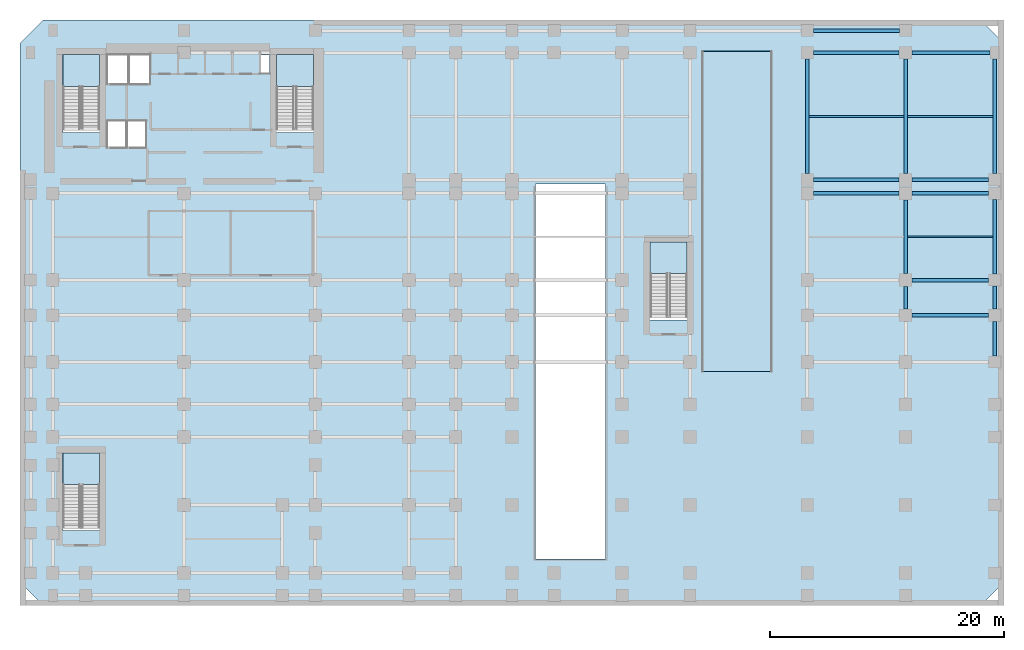
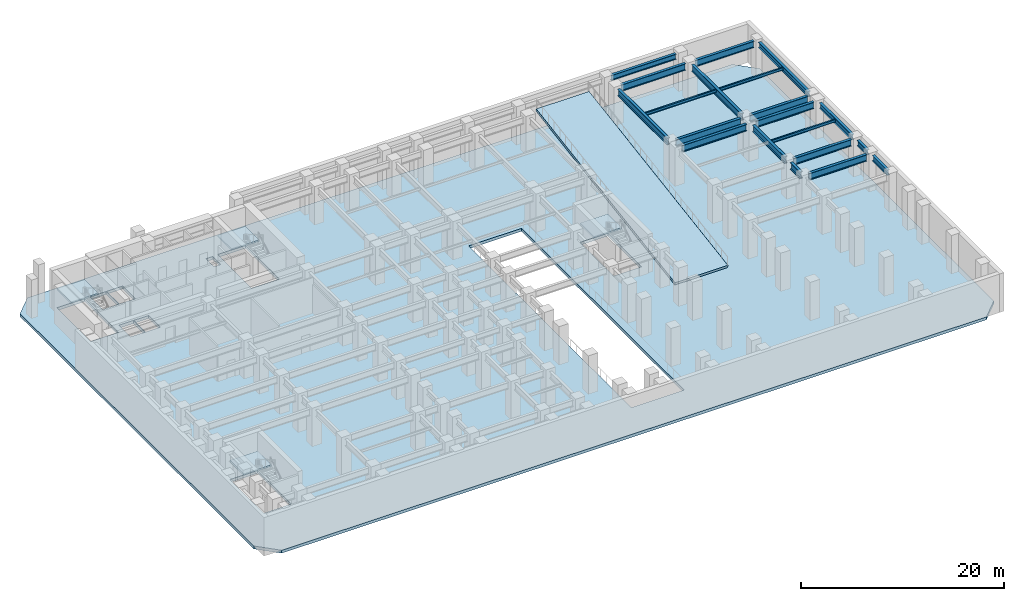
# One storey, part 4 of 12: 20 beams, 6 slabs, 4 elements without a shape of their own.
"""IFC4 building model written with IfcOpenShell, lengths in metres."""

import ifcopenshell
import ifcopenshell.guid

model = None  # the IFC model being written
_history = None  # IfcOwnerHistory: only IFC2X3 demands one
_inside = {}  # id of a spatial element -> (the spatial element, [elements in it])
_under = {}  # id of a project, library or spatial element -> (it, [spatial elements below it])
_declared = {}  # id of a project -> (the project, [libraries it declares])
_typed = {}  # id of a type object -> (the type object, [elements of that type])
_made_of = {}  # id of a material, layer set ... -> (it, [elements and type objects made of it])


def new_model(schema):
    """Start an empty IFC model of exactly this schema.

    Asked for "IFC4X3", IfcOpenShell would pick the latest addendum, in which some entities
    have other attributes; the version numbers below select the first issue.
    IFC2X3 requires an IfcOwnerHistory on every rooted entity: one is made here for all.
    """
    global model, _history
    if schema == "IFC4X3":
        model = ifcopenshell.file(schema_version=(4, 3, 0, 0))
    else:
        model = ifcopenshell.file(schema=schema)
    _inside.clear()
    _under.clear()
    _declared.clear()
    _typed.clear()
    _made_of.clear()
    _history = None
    if model.schema == "IFC2X3":
        org = make("IfcOrganization", Name="unknown")
        user = make(
            "IfcPersonAndOrganization",
            ThePerson=make("IfcPerson", FamilyName="unknown"),
            TheOrganization=org,
        )
        app = make(
            "IfcApplication",
            ApplicationDeveloper=org,
            Version="unknown",
            ApplicationFullName="unknown",
            ApplicationIdentifier="unknown",
        )
        _history = make(
            "IfcOwnerHistory",
            OwningUser=user,
            OwningApplication=app,
            ChangeAction="ADDED",
            CreationDate=0,
        )
    return model


def make(cls, **values):
    """One entity of the class cls with the attributes given. An attribute that is None is left unset."""
    return model.create_entity(
        cls, **{name: value for name, value in values.items() if value is not None}
    )


def rooted(cls, **values):
    """An entity with a GlobalId (a new one), such as an element, a storey or a relation."""
    return make(cls, GlobalId=ifcopenshell.guid.new(), OwnerHistory=_history, **values)


def si_unit(unit_type, name, prefix=None):
    """IfcSIUnit, for example si_unit("LENGTHUNIT", "METRE", prefix="MILLI")."""
    return make("IfcSIUnit", UnitType=unit_type, Prefix=prefix, Name=name)


def assignment(units):
    """IfcUnitAssignment: the units of a project."""
    return None if units is None else make("IfcUnitAssignment", Units=units)


def point(xyz):
    """IfcCartesianPoint."""
    return None if xyz is None else make("IfcCartesianPoint", Coordinates=xyz)


def direction(xyz):
    """IfcDirection."""
    return None if xyz is None else make("IfcDirection", DirectionRatios=xyz)


def frame(location, z_axis=None, x_axis=None):
    """IfcAxis2Placement3D, a coordinate frame: its origin and axes. An axis left out is left unset."""
    return make(
        "IfcAxis2Placement3D",
        Location=point(location),
        Axis=direction(z_axis),
        RefDirection=direction(x_axis),
    )


def frame_2d(location, x_axis=None):
    """IfcAxis2Placement2D, a coordinate frame in the plane: its origin and x axis."""
    return make(
        "IfcAxis2Placement2D", Location=point(location), RefDirection=direction(x_axis)
    )


def origin():
    """The frame at (0, 0, 0) with its axes left unset."""
    return frame((0.0, 0.0, 0.0))


def origin_2d():
    """The frame at (0, 0) in the plane with its x axis left unset."""
    return frame_2d((0.0, 0.0))


def place(relative_to, where):
    """IfcLocalPlacement: puts the frame where relative to a parent placement (None: the world)."""
    return make(
        "IfcLocalPlacement", PlacementRelTo=relative_to, RelativePlacement=where
    )


def context(
    kind, dimensions, precision=None, world=None, true_north=None, identifier=None
):
    """IfcGeometricRepresentationContext, for example the 3D "Model" context."""
    return make(
        "IfcGeometricRepresentationContext",
        ContextIdentifier=identifier,
        ContextType=kind,
        CoordinateSpaceDimension=dimensions,
        Precision=precision,
        WorldCoordinateSystem=world,
        TrueNorth=true_north,
    )


def subcontext(parent, identifier, kind, view, scale=None):
    """IfcGeometricRepresentationSubContext, for example "Body" below "Model"."""
    return make(
        "IfcGeometricRepresentationSubContext",
        ContextIdentifier=identifier,
        ContextType=kind,
        ParentContext=parent,
        TargetScale=scale,
        TargetView=view,
    )


def project(units=None, contexts=None):
    """IfcProject with its units and contexts."""
    return rooted(
        "IfcProject",
        Name="project",
        RepresentationContexts=contexts,
        UnitsInContext=assignment(units),
    )


def spatial(cls, under=None, at=None, **own):
    """A site, building, storey or space (cls), placed at a placement, below another one or the project."""
    s = rooted(cls, ObjectPlacement=at, **own)
    if under is not None:
        _under.setdefault(under.id(), (under, []))[1].append(s)
    return s


def polyline(points):
    """IfcPolyline through the points."""
    return make("IfcPolyline", Points=[point(p) for p in points])


def profile(cls, at=None, kind="AREA", **sizes):
    """A parametric profile (cls). Its sizes go by their IFC names, for example OverallWidth=200.0."""
    return make(cls, ProfileType=kind, Position=at, **sizes)


def i_section(**sizes):
    """IfcIShapeProfileDef."""
    return profile("IfcIShapeProfileDef", **sizes)


def outline(outer, holes=None, kind="AREA"):
    """IfcArbitraryClosedProfileDef: a profile drawn as a closed curve; with holes, ...WithVoids."""
    if holes is None:
        return make("IfcArbitraryClosedProfileDef", ProfileType=kind, OuterCurve=outer)
    return make(
        "IfcArbitraryProfileDefWithVoids",
        ProfileType=kind,
        OuterCurve=outer,
        InnerCurves=holes,
    )


def extrude(swept, where, along, depth):
    """IfcExtrudedAreaSolid: the profile swept, set in the frame where, extruded along a direction by depth."""
    return make(
        "IfcExtrudedAreaSolid",
        SweptArea=swept,
        Position=where,
        ExtrudedDirection=direction(along),
        Depth=depth,
    )


def shape(context_of_items, identifier, shape_type, items):
    """IfcShapeRepresentation: the items that make up one representation, for example the "Body"."""
    return make(
        "IfcShapeRepresentation",
        ContextOfItems=context_of_items,
        RepresentationIdentifier=identifier,
        RepresentationType=shape_type,
        Items=items,
    )


def material(Name=None, Category=None):
    """IfcMaterial."""
    return make("IfcMaterial", Name=Name, Category=Category)


def layer(
    of_material, thickness, ventilated=None, Name=None, Category=None, Priority=None
):
    """IfcMaterialLayer: one layer of a wall or slab, of a material (None: an air gap)."""
    return make(
        "IfcMaterialLayer",
        Material=of_material,
        LayerThickness=thickness,
        IsVentilated=ventilated,
        Name=Name,
        Category=Category,
        Priority=Priority,
    )


def layer_set(layers, Name=None):
    """IfcMaterialLayerSet."""
    return make("IfcMaterialLayerSet", MaterialLayers=layers, LayerSetName=Name)


def material_profile(
    of_material, cross_section, Name=None, Category=None, Priority=None
):
    """IfcMaterialProfile: a cross section and its material."""
    return make(
        "IfcMaterialProfile",
        Name=Name,
        Material=of_material,
        Profile=cross_section,
        Priority=Priority,
        Category=Category,
    )


def profile_set(profiles, Name=None, composite=None):
    """IfcMaterialProfileSet."""
    return make(
        "IfcMaterialProfileSet",
        Name=Name,
        MaterialProfiles=profiles,
        CompositeProfile=composite,
    )


def made_of(thing, what):
    """Note that an element or type object is made of a material, layer set ...; save() writes the relation."""
    if what is not None:
        _made_of.setdefault(what.id(), (what, []))[1].append(thing)
    return thing


def type_object(cls, material=None, **own):
    """A type object (cls), such as IfcWallType, which elements share."""
    return made_of(rooted(cls, **own), material)


def element(
    cls,
    number,
    at=None,
    inside=None,
    cuts=None,
    type_object=None,
    material=None,
    context=None,
    identifier="Body",
    shape_type=None,
    held_by="IfcProductDefinitionShape",
    body=None,
    shapes=None,
    **own,
):
    """One element of the class cls, such as IfcWall. Its Tag is "e" and its number.

    at: its placement. inside: the storey or other place that contains it. cuts: it is an
    opening in that element (IfcRelVoidsElement). A single representation is given by context,
    identifier, shape_type and body (its items); several are given by shapes. held_by: the class
    of the entity that holds the representations. save() writes the other relations.
    """
    e = rooted(cls, Tag="e%d" % number, ObjectPlacement=at, **own)
    if body is not None:
        shapes = [shape(context, identifier, shape_type, body)]
    if shapes is not None:
        e.Representation = make(held_by, Representations=shapes)
    if inside is not None:
        _inside.setdefault(inside.id(), (inside, []))[1].append(e)
    if cuts is not None:
        rooted(
            "IfcRelVoidsElement", RelatingBuildingElement=cuts, RelatedOpeningElement=e
        )
    if type_object is not None:
        _typed.setdefault(type_object.id(), (type_object, []))[1].append(e)
    return made_of(e, material)


def aggregate(whole, parts):
    """IfcRelAggregates: a whole, such as a stair, and the parts it consists of."""
    return rooted("IfcRelAggregates", RelatingObject=whole, RelatedObjects=parts)


def save(model, path):
    """Write the relations noted so far, then the file.

    IfcRelAggregates (storeys below a building ...), IfcRelContainedInSpatialStructure (elements
    in a storey), IfcRelDefinesByType, IfcRelAssociatesMaterial and IfcRelDeclares: one each for
    every whole, place, type object, material and project.
    """
    for whole, parts in _under.values():
        aggregate(whole, parts)
    for where, things in _inside.values():
        rooted(
            "IfcRelContainedInSpatialStructure",
            RelatedElements=things,
            RelatingStructure=where,
        )
    for kind, things in _typed.values():
        rooted("IfcRelDefinesByType", RelatedObjects=things, RelatingType=kind)
    for what, things in _made_of.values():
        rooted("IfcRelAssociatesMaterial", RelatedObjects=things, RelatingMaterial=what)
    for by, libraries in _declared.values():
        rooted("IfcRelDeclares", RelatingContext=by, RelatedDefinitions=libraries)
    model.write(path)


model = new_model("IFC4")

# Units and contexts
model_context = context("Model", 3, precision=1e-05, world=origin(), true_north=direction((0.0, 1.0)))
body_context = subcontext(model_context, "Body", "Model", "MODEL_VIEW")
ifc_project = project(units=[si_unit("LENGTHUNIT", "METRE"), si_unit("AREAUNIT", "SQUARE_METRE"), si_unit("VOLUMEUNIT", "CUBIC_METRE"), si_unit("PLANEANGLEUNIT", "RADIAN"), si_unit("MASSUNIT", "GRAM", prefix="KILO")], contexts=[model_context])

# Site, building, storey
site_placement = place(None, origin())
site = spatial("IfcSite", under=ifc_project, at=site_placement, CompositionType="ELEMENT")
building_placement = place(site_placement, origin())
building = spatial("IfcBuilding", under=site, at=building_placement, Name="Kefirva Bronze Tower", CompositionType="ELEMENT")
storey_placement = place(building_placement, frame((0.0, 0.0, -4.6201171875)))
storey = spatial("IfcBuildingStorey", under=building, at=storey_placement, Name="B1", CompositionType="ELEMENT", Elevation=-4.6201171875)

# Beams
ifc_material_1 = material(Name="Steel S355", Category="steel")
ifc_material_profile_1 = material_profile(ifc_material_1, i_section(OverallWidth=0.159912109375, OverallDepth=0.330078125, WebThickness=0.007568359375, FlangeThickness=0.011474609375, at=origin_2d()), Name="IPE 330")
ifc_profile_set_1 = profile_set([ifc_material_profile_1], Name="Steel S355")
beam_type_1 = type_object("IfcBeamType", Name="Steel Floor Joist IPE 330", PredefinedType="JOIST", material=ifc_profile_set_1)
beam_1_placement = place(storey_placement, frame((65.35009765625, 39.77490234375, 4.135009765625), z_axis=(1.0, 0.0, 0.0), x_axis=(0.0, 1.0, 0.0)))
element("IfcBeam", 1, at=beam_1_placement, inside=storey, type_object=beam_type_1, Name="B1 JST-B1-65-397", PredefinedType="JOIST", context=body_context, shape_type="SweptSolid", body=[
    extrude(i_section(OverallWidth=0.159912109375, OverallDepth=0.330078125, WebThickness=0.007568359375, FlangeThickness=0.011474609375, at=origin_2d()), origin(), (0.0, 0.0, 1.0), 8.099853515625),
])
for number, where, z_axis, x_axis, name in (
    (2, (73.75, 29.5, 4.135009765625), (1.0, 0.0, 0.0), (0.0, 1.0, 0.0), "B1 JST-B1-73-295"),
    (3, (73.75, 39.77490234375, 4.135009765625), (1.0, 0.0, 0.0), (0.0, 1.0, 0.0), "B1 JST-B1-73-397"),
):
    element("IfcBeam", number, at=place(storey_placement, frame(where, z_axis=z_axis, x_axis=x_axis)), inside=storey, type_object=beam_type_1, Name=name, PredefinedType="JOIST", context=body_context, shape_type="SweptSolid", body=[
        extrude(i_section(OverallWidth=0.159912109375, OverallDepth=0.330078125, WebThickness=0.007568359375, FlangeThickness=0.011474609375, at=origin_2d()), origin(), (0.0, 0.0, 1.0), 7.300048828125),
    ])
ifc_material_profile_2 = material_profile(ifc_material_1, i_section(OverallWidth=0.300048828125, OverallDepth=0.800048828125, WebThickness=0.017578125, FlangeThickness=0.032958984375, at=origin_2d()), Name="HEB 800")
ifc_profile_set_2 = profile_set([ifc_material_profile_2], Name="Steel S355")
beam_type_2 = type_object("IfcBeamType", Name="Steel Girder HEB 800", PredefinedType="USERDEFINED", material=ifc_profile_set_2)
for number, where, z_axis, x_axis, name in (
    (4, (74.14990234375, 22.800048828125, 3.900146484375), (1.0, 0.0, 0.0), (0.0, 1.0, 0.0), "B1 BM-B1-EW-73-228"),
    (5, (74.14990234375, 25.800048828125, 3.900146484375), (1.0, 0.0, 0.0), (0.0, 1.0, 0.0), "B1 BM-B1-EW-73-258"),
):
    element("IfcBeam", number, at=place(storey_placement, frame(where, z_axis=z_axis, x_axis=x_axis)), inside=storey, type_object=beam_type_2, Name=name, ObjectType="GIRDER", PredefinedType="USERDEFINED", context=body_context, shape_type="SweptSolid", body=[
        extrude(i_section(OverallWidth=0.300048828125, OverallDepth=0.800048828125, WebThickness=0.017578125, FlangeThickness=0.032958984375, at=origin_2d()), origin(), (0.0, 0.0, 1.0), 6.525146484375),
    ])
beam_2_placement = place(storey_placement, frame((65.75, 33.199951171875, 3.900146484375), z_axis=(1.0, 0.0, 0.0), x_axis=(0.0, 1.0, 0.0)))
element("IfcBeam", 6, at=beam_2_placement, inside=storey, type_object=beam_type_2, Name="B1 BM-B1-EW-65-332", ObjectType="GIRDER", PredefinedType="USERDEFINED", context=body_context, shape_type="SweptSolid", body=[
    extrude(i_section(OverallWidth=0.300048828125, OverallDepth=0.800048828125, WebThickness=0.017578125, FlangeThickness=0.032958984375, at=origin_2d()), origin(), (0.0, 0.0, 1.0), 7.300048828125),
])
beam_3_placement = place(storey_placement, frame((74.14990234375, 33.199951171875, 3.900146484375), z_axis=(1.0, 0.0, 0.0), x_axis=(0.0, 1.0, 0.0)))
element("IfcBeam", 7, at=beam_3_placement, inside=storey, type_object=beam_type_2, Name="B1 BM-B1-EW-73-332", ObjectType="GIRDER", PredefinedType="USERDEFINED", context=body_context, shape_type="SweptSolid", body=[
    extrude(i_section(OverallWidth=0.300048828125, OverallDepth=0.800048828125, WebThickness=0.017578125, FlangeThickness=0.032958984375, at=origin_2d()), origin(), (0.0, 0.0, 1.0), 6.525146484375),
])
beam_4_placement = place(storey_placement, frame((65.75, 34.35009765625, 3.900146484375), z_axis=(1.0, 0.0, 0.0), x_axis=(0.0, 1.0, 0.0)))
element("IfcBeam", 8, at=beam_4_placement, inside=storey, type_object=beam_type_2, Name="B1 BM-B1-EW-65-344", ObjectType="GIRDER", PredefinedType="USERDEFINED", context=body_context, shape_type="SweptSolid", body=[
    extrude(i_section(OverallWidth=0.300048828125, OverallDepth=0.800048828125, WebThickness=0.017578125, FlangeThickness=0.032958984375, at=origin_2d()), origin(), (0.0, 0.0, 1.0), 7.300048828125),
])
beam_5_placement = place(storey_placement, frame((74.14990234375, 34.35009765625, 3.900146484375), z_axis=(1.0, 0.0, 0.0), x_axis=(0.0, 1.0, 0.0)))
element("IfcBeam", 9, at=beam_5_placement, inside=storey, type_object=beam_type_2, Name="B1 BM-B1-EW-73-344", ObjectType="GIRDER", PredefinedType="USERDEFINED", context=body_context, shape_type="SweptSolid", body=[
    extrude(i_section(OverallWidth=0.300048828125, OverallDepth=0.800048828125, WebThickness=0.017578125, FlangeThickness=0.032958984375, at=origin_2d()), origin(), (0.0, 0.0, 1.0), 6.525146484375),
])
beam_6_placement = place(storey_placement, frame((65.75, 45.199951171875, 3.900146484375), z_axis=(1.0, 0.0, 0.0), x_axis=(0.0, 1.0, 0.0)))
element("IfcBeam", 10, at=beam_6_placement, inside=storey, type_object=beam_type_2, Name="B1 BM-B1-EW-65-452", ObjectType="GIRDER", PredefinedType="USERDEFINED", context=body_context, shape_type="SweptSolid", body=[
    extrude(i_section(OverallWidth=0.300048828125, OverallDepth=0.800048828125, WebThickness=0.017578125, FlangeThickness=0.032958984375, at=origin_2d()), origin(), (0.0, 0.0, 1.0), 7.300048828125),
])
beam_7_placement = place(storey_placement, frame((74.14990234375, 45.199951171875, 3.900146484375), z_axis=(1.0, 0.0, 0.0), x_axis=(0.0, 1.0, 0.0)))
element("IfcBeam", 11, at=beam_7_placement, inside=storey, type_object=beam_type_2, Name="B1 BM-B1-EW-73-452", ObjectType="GIRDER", PredefinedType="USERDEFINED", context=body_context, shape_type="SweptSolid", body=[
    extrude(i_section(OverallWidth=0.300048828125, OverallDepth=0.800048828125, WebThickness=0.017578125, FlangeThickness=0.032958984375, at=origin_2d()), origin(), (0.0, 0.0, 1.0), 6.670166015625),
])
beam_8_placement = place(storey_placement, frame((65.199951171875, 34.89990234375, 3.900146484375), z_axis=(0.0, 1.0, 0.0), x_axis=(-1.0, 0.0, 0.0)))
element("IfcBeam", 12, at=beam_8_placement, inside=storey, type_object=beam_type_2, Name="B1 BM-B1-NS-652-34", ObjectType="GIRDER", PredefinedType="USERDEFINED", context=body_context, shape_type="SweptSolid", body=[
    extrude(i_section(OverallWidth=0.300048828125, OverallDepth=0.800048828125, WebThickness=0.017578125, FlangeThickness=0.032958984375, at=origin_2d()), origin(), (0.0, 0.0, 1.0), 9.75),
])
beam_9_placement = place(storey_placement, frame((73.60009765625, 23.35009765625, 3.900146484375), z_axis=(0.0, 1.0, 0.0), x_axis=(-1.0, 0.0, 0.0)))
element("IfcBeam", 13, at=beam_9_placement, inside=storey, type_object=beam_type_2, Name="B1 BM-B1-NS-736-22", ObjectType="GIRDER", PredefinedType="USERDEFINED", context=body_context, shape_type="SweptSolid", body=[
    extrude(i_section(OverallWidth=0.300048828125, OverallDepth=0.800048828125, WebThickness=0.017578125, FlangeThickness=0.032958984375, at=origin_2d()), origin(), (0.0, 0.0, 1.0), 1.89990234375),
])
beam_10_placement = place(storey_placement, frame((73.60009765625, 26.35009765625, 3.900146484375), z_axis=(0.0, 1.0, 0.0), x_axis=(-1.0, 0.0, 0.0)))
element("IfcBeam", 14, at=beam_10_placement, inside=storey, type_object=beam_type_2, Name="B1 BM-B1-NS-736-25", ObjectType="GIRDER", PredefinedType="USERDEFINED", context=body_context, shape_type="SweptSolid", body=[
    extrude(i_section(OverallWidth=0.300048828125, OverallDepth=0.800048828125, WebThickness=0.017578125, FlangeThickness=0.032958984375, at=origin_2d()), origin(), (0.0, 0.0, 1.0), 6.2998046875),
])
beam_11_placement = place(storey_placement, frame((73.60009765625, 34.89990234375, 3.900146484375), z_axis=(0.0, 1.0, 0.0), x_axis=(-1.0, 0.0, 0.0)))
element("IfcBeam", 15, at=beam_11_placement, inside=storey, type_object=beam_type_2, Name="B1 BM-B1-NS-736-34", ObjectType="GIRDER", PredefinedType="USERDEFINED", context=body_context, shape_type="SweptSolid", body=[
    extrude(i_section(OverallWidth=0.300048828125, OverallDepth=0.800048828125, WebThickness=0.017578125, FlangeThickness=0.032958984375, at=origin_2d()), origin(), (0.0, 0.0, 1.0), 9.75),
])
ifc_material_profile_3 = material_profile(ifc_material_1, i_section(OverallWidth=0.300048828125, OverallDepth=0.64990234375, WebThickness=0.01611328125, FlangeThickness=0.031005859375, at=origin_2d()), Name="HEB 650")
ifc_profile_set_3 = profile_set([ifc_material_profile_3], Name="Steel S355")
beam_type_3 = type_object("IfcBeamType", Name="Steel Spandrel HEB 650 Ext", PredefinedType="SPANDREL", material=ifc_profile_set_3)
beam_12_placement = place(storey_placement, frame((65.72509765625, 47.10009765625, 3.97509765625), z_axis=(1.0, 0.0, 0.0), x_axis=(0.0, 1.0, 0.0)))
element("IfcBeam", 16, at=beam_12_placement, inside=storey, type_object=beam_type_3, Name="B1 BM-B1-EW-65-471", PredefinedType="SPANDREL", context=body_context, shape_type="SweptSolid", body=[
    extrude(i_section(OverallWidth=0.300048828125, OverallDepth=0.64990234375, WebThickness=0.01611328125, FlangeThickness=0.031005859375, at=origin_2d()), origin(), (0.0, 0.0, 1.0), 7.349853515625),
])
beam_13_placement = place(storey_placement, frame((81.199951171875, 19.324951171875, 3.97509765625), z_axis=(0.0, 1.0, 0.0), x_axis=(-1.0, 0.0, 0.0)))
element("IfcBeam", 17, at=beam_13_placement, inside=storey, type_object=beam_type_3, Name="B1 BM-B1-NS-812-18", PredefinedType="SPANDREL", context=body_context, shape_type="SweptSolid", body=[
    extrude(i_section(OverallWidth=0.300048828125, OverallDepth=0.64990234375, WebThickness=0.01611328125, FlangeThickness=0.031005859375, at=origin_2d()), origin(), (0.0, 0.0, 1.0), 2.949951171875),
])
beam_14_placement = place(storey_placement, frame((81.199951171875, 23.324951171875, 3.97509765625), z_axis=(0.0, 1.0, 0.0), x_axis=(-1.0, 0.0, 0.0)))
element("IfcBeam", 18, at=beam_14_placement, inside=storey, type_object=beam_type_3, Name="B1 BM-B1-NS-812-22", PredefinedType="SPANDREL", context=body_context, shape_type="SweptSolid", body=[
    extrude(i_section(OverallWidth=0.300048828125, OverallDepth=0.64990234375, WebThickness=0.01611328125, FlangeThickness=0.031005859375, at=origin_2d()), origin(), (0.0, 0.0, 1.0), 1.949951171875),
])
beam_15_placement = place(storey_placement, frame((81.199951171875, 26.324951171875, 3.97509765625), z_axis=(0.0, 1.0, 0.0), x_axis=(-1.0, 0.0, 0.0)))
element("IfcBeam", 19, at=beam_15_placement, inside=storey, type_object=beam_type_3, Name="B1 BM-B1-NS-812-25", PredefinedType="SPANDREL", context=body_context, shape_type="SweptSolid", body=[
    extrude(i_section(OverallWidth=0.300048828125, OverallDepth=0.64990234375, WebThickness=0.01611328125, FlangeThickness=0.031005859375, at=origin_2d()), origin(), (0.0, 0.0, 1.0), 6.35009765625),
])
beam_16_placement = place(storey_placement, frame((81.199951171875, 34.875, 3.97509765625), z_axis=(0.0, 1.0, 0.0), x_axis=(-1.0, 0.0, 0.0)))
element("IfcBeam", 20, at=beam_16_placement, inside=storey, type_object=beam_type_3, Name="B1 BM-B1-NS-812-34", PredefinedType="SPANDREL", context=body_context, shape_type="SweptSolid", body=[
    extrude(i_section(OverallWidth=0.300048828125, OverallDepth=0.64990234375, WebThickness=0.01611328125, FlangeThickness=0.031005859375, at=origin_2d()), origin(), (0.0, 0.0, 1.0), 9.804931640625),
])

# Slab
ifc_material_2 = material(Name="Concrete C40/50", Category="concrete")
ifc_layer_1 = layer(ifc_material_2, 0.35009765625, Name="Concrete C40/50")
ifc_layer_set_1 = layer_set([ifc_layer_1], Name="Concrete C40/50")
slab_type_1 = type_object("IfcSlabType", Name="RC Basement Suspended Slab 350mm", PredefinedType="FLOOR", material=ifc_layer_set_1)
slab_1_placement = place(storey_placement, frame((0.0, 0.0, -0.349853515625)))
element("IfcSlab", 21, at=slab_1_placement, inside=storey, type_object=slab_type_1, Name="B1 Structural Floor Slab", PredefinedType="FLOOR", context=body_context, shape_type="SweptSolid", body=[
    extrude(outline(polyline([(-2.0, 0.0), (-2.0, 46.0), (0.0, 48.0), (80.0, 48.0), (82.0, 46.0), (82.0, 0.0), (80.0, -2.0), (0.0, -2.0), (-2.0, 0.0)]), holes=[polyline([(54.949951171875, 29.050048828125), (51.800048828125, 29.050048828125), (51.800048828125, 22.39990234375), (54.949951171875, 22.39990234375), (54.949951171875, 29.050048828125)]), polyline([(48.0, 34.0), (42.0, 34.0), (42.0, 2.0), (48.0, 2.0), (48.0, 34.0)]), polyline([(23.050048828125, 45.050048828125), (19.89990234375, 45.050048828125), (19.89990234375, 38.39990234375), (23.050048828125, 38.39990234375), (23.050048828125, 45.050048828125)]), polyline([(19.320068359375, 43.419921875), (19.320068359375, 45.0), (18.52001953125, 45.0), (18.52001953125, 43.419921875), (19.320068359375, 43.419921875)]), polyline([(9.1201171875, 42.550048828125), (9.1201171875, 45.050048828125), (7.300048828125, 45.050048828125), (7.300048828125, 42.550048828125), (9.1201171875, 42.550048828125)]), polyline([(8.780029296875, 37.10009765625), (8.780029296875, 39.39990234375), (7.139892578125, 39.39990234375), (7.139892578125, 37.10009765625), (8.780029296875, 37.10009765625)]), polyline([(7.239990234375, 45.050048828125), (5.419921875, 45.050048828125), (5.419921875, 42.550048828125), (7.239990234375, 42.550048828125), (7.239990234375, 45.050048828125)]), polyline([(7.06005859375, 37.10009765625), (7.06005859375, 39.39990234375), (5.419921875, 39.39990234375), (5.419921875, 37.10009765625), (7.06005859375, 37.10009765625)]), polyline([(4.800048828125, 11.050048828125), (1.64990234375, 11.050048828125), (1.64990234375, 4.39990234375), (4.800048828125, 4.39990234375), (4.800048828125, 11.050048828125)]), polyline([(4.800048828125, 45.050048828125), (1.64990234375, 45.050048828125), (1.64990234375, 38.39990234375), (4.800048828125, 38.39990234375), (4.800048828125, 45.050048828125)])]), origin(), (0.0, 0.0, 1.0), 0.349853515625),
])

# Stair, slab
stair_type = type_object("IfcStairType", Name="RC Dogleg Protected Stair 28R", PredefinedType="HALF_TURN_STAIR", material=ifc_material_2)
stair_1_placement = place(storey_placement, origin())
stair_1 = element("IfcStair", 22, at=stair_1_placement, inside=storey, type_object=stair_type, Name="B1 Protected Exit Stair 1", PredefinedType="HALF_TURN_STAIR")
ifc_layer_2 = layer(ifc_material_2, 0.199951171875, Name="Concrete C40/50")
ifc_layer_set_2 = layer_set([ifc_layer_2], Name="Concrete C40/50")
slab_type_2 = type_object("IfcSlabType", Name="RC Stair Landing Slab 200mm", PredefinedType="LANDING", material=ifc_layer_set_2)
slab_2_placement = place(storey_placement, frame((0.0, 0.0, 2.110107421875)))
slab_2 = element("IfcSlab", 23, at=slab_2_placement, type_object=slab_type_2, Name="ST-1 landing 1", PredefinedType="LANDING", context=body_context, shape_type="SweptSolid", body=[
    extrude(outline(polyline([(4.800048828125, 42.340087890625), (4.800048828125, 45.050048828125), (1.64990234375, 45.050048828125), (1.64990234375, 42.340087890625), (4.800048828125, 42.340087890625)])), origin(), (0.0, 0.0, 1.0), 0.199951171875),
])
aggregate(stair_1, [slab_2])

stair_2_placement = place(storey_placement, origin())
stair_2 = element("IfcStair", 24, at=stair_2_placement, inside=storey, type_object=stair_type, Name="B1 Protected Exit Stair 2", PredefinedType="HALF_TURN_STAIR")
slab_3_placement = place(storey_placement, frame((0.0, 0.0, 2.110107421875)))
slab_3 = element("IfcSlab", 25, at=slab_3_placement, type_object=slab_type_2, Name="ST-2 landing 1", PredefinedType="LANDING", context=body_context, shape_type="SweptSolid", body=[
    extrude(outline(polyline([(23.050048828125, 42.340087890625), (23.050048828125, 45.050048828125), (19.89990234375, 45.050048828125), (19.89990234375, 42.340087890625), (23.050048828125, 42.340087890625)])), origin(), (0.0, 0.0, 1.0), 0.199951171875),
])
aggregate(stair_2, [slab_3])

stair_3_placement = place(storey_placement, origin())
stair_3 = element("IfcStair", 26, at=stair_3_placement, inside=storey, type_object=stair_type, Name="B1 Podium Exit Stair 3", PredefinedType="HALF_TURN_STAIR")
slab_4_placement = place(storey_placement, frame((0.0, 0.0, 2.110107421875)))
slab_4 = element("IfcSlab", 27, at=slab_4_placement, type_object=slab_type_2, Name="ST-3 landing 1", PredefinedType="LANDING", context=body_context, shape_type="SweptSolid", body=[
    extrude(outline(polyline([(4.800048828125, 8.340087890625), (4.800048828125, 11.050048828125), (1.64990234375, 11.050048828125), (1.64990234375, 8.340087890625), (4.800048828125, 8.340087890625)])), origin(), (0.0, 0.0, 1.0), 0.199951171875),
])
aggregate(stair_3, [slab_4])

stair_4_placement = place(storey_placement, origin())
stair_4 = element("IfcStair", 28, at=stair_4_placement, inside=storey, type_object=stair_type, Name="B1 Podium Exit Stair 4", PredefinedType="HALF_TURN_STAIR")
slab_5_placement = place(storey_placement, frame((0.0, 0.0, 2.110107421875)))
slab_5 = element("IfcSlab", 29, at=slab_5_placement, type_object=slab_type_2, Name="ST-4 landing 1", PredefinedType="LANDING", context=body_context, shape_type="SweptSolid", body=[
    extrude(outline(polyline([(54.949951171875, 26.340087890625), (54.949951171875, 29.050048828125), (51.800048828125, 29.050048828125), (51.800048828125, 26.340087890625), (54.949951171875, 26.340087890625)])), origin(), (0.0, 0.0, 1.0), 0.199951171875),
])
aggregate(stair_4, [slab_5])

# Slab
ifc_layer_3 = layer(ifc_material_2, 0.300048828125, Name="Concrete C40/50")
ifc_layer_set_3 = layer_set([ifc_layer_3], Name="Concrete C40/50")
slab_type_3 = type_object("IfcSlabType", Name="RC Vehicle Ramp Slab 300mm", PredefinedType="FLOOR", material=ifc_layer_set_3)
slab_6_placement = place(storey_placement, frame((56.199951171875, 18.0, 0.300048828125), z_axis=(0.0, -0.156299123846, 0.987709767029), x_axis=(1.0, 0.0, 0.0)))
element("IfcSlab", 30, at=slab_6_placement, inside=storey, type_object=slab_type_3, Name="B1 to L00 Grade Exit Vehicle Ramp", PredefinedType="FLOOR", context=body_context, shape_type="SweptSolid", body=[
    extrude(outline(polyline([(0.0, 0.0), (6.0, 0.0), (6.0, 27.639747767439594), (0.0, 27.639747767439594), (0.0, 0.0)])), origin(), (0.0, 0.0, -1.0), 0.300048828125),
])

save(model, "model.ifc")
